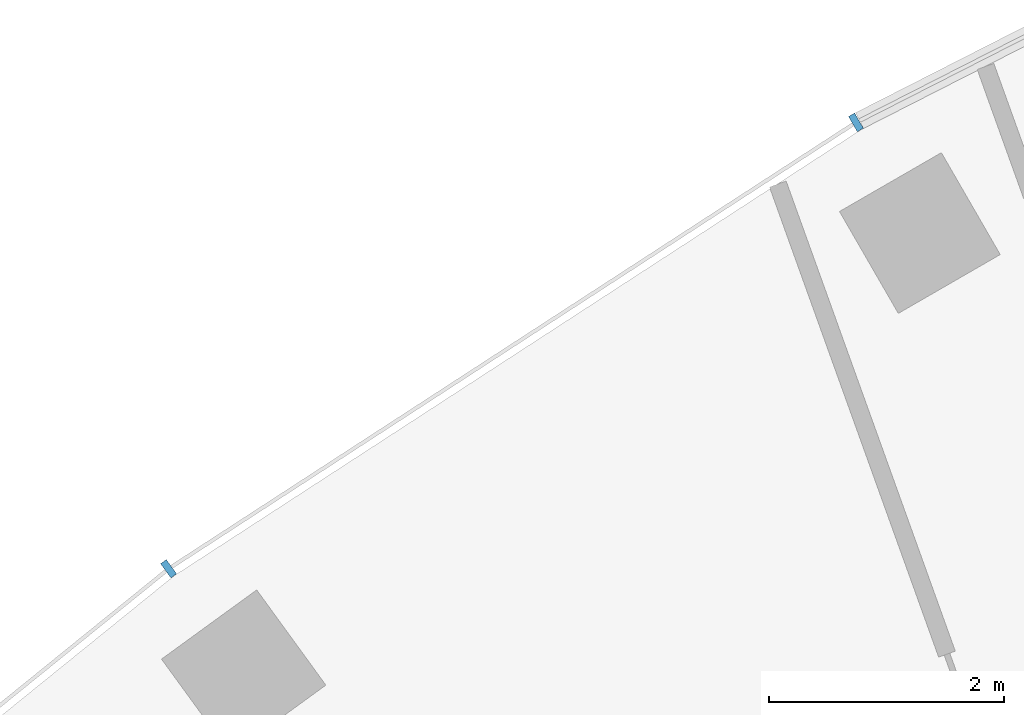
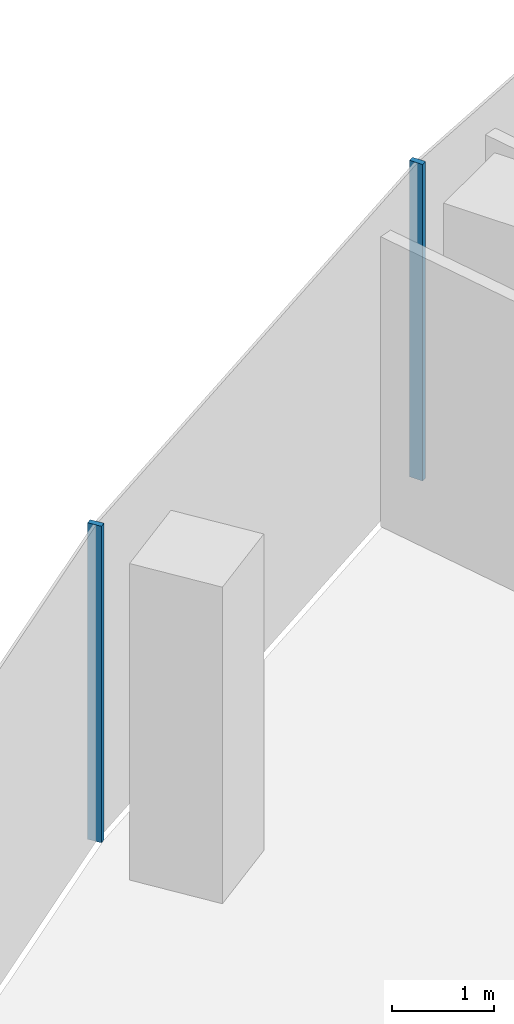
# One storey, part 4 of 21: 2 members, 1 element without a shape of its own.
"""IFC4 building model written with IfcOpenShell, lengths in metres."""

from ifc_helpers import new_model, si_unit, direction, frame, origin, origin_2d, place, context, subcontext, project, spatial, rectangle, extrude, material, layer, layer_set, material_profile, profile_set, type_object, element, aggregate, save


model = new_model("IFC4")

# Units and contexts
model_context = context("Model", 3, precision=1e-05, world=origin(), true_north=direction((0.0, 1.0)))
body_context = subcontext(model_context, "Body", "Model", "MODEL_VIEW")
ifc_project = project(units=[si_unit("LENGTHUNIT", "METRE"), si_unit("AREAUNIT", "SQUARE_METRE"), si_unit("VOLUMEUNIT", "CUBIC_METRE"), si_unit("PLANEANGLEUNIT", "RADIAN"), si_unit("MASSUNIT", "GRAM", prefix="KILO")], contexts=[model_context])

# Site, building, storey
site_placement = place(None, origin())
site = spatial("IfcSite", under=ifc_project, at=site_placement, CompositionType="ELEMENT")
building_placement = place(site_placement, origin())
building = spatial("IfcBuilding", under=site, at=building_placement, Name="Stone Belt Terrace Tower", CompositionType="ELEMENT")
storey_placement = place(building_placement, frame((0.0, 0.0, 163.0)))
storey = spatial("IfcBuildingStorey", under=building, at=storey_placement, Name="L39", CompositionType="ELEMENT", Elevation=163.0)

# Curtain wall, members
ifc_material = material(Name="Aluminium 6063-T6 anodised frame", Category="aluminium")
ifc_layer = layer(ifc_material, 0.14990234375)
ifc_layer_set = layer_set([ifc_layer], Name="CW-A unitised convex-face curtain wall")
curtain_wall_type = type_object("IfcCurtainWallType", Name="CW-A unitised convex-face curtain wall", PredefinedType="NOTDEFINED", material=ifc_layer_set)
curtain_wall_placement = place(storey_placement, origin())
curtain_wall = element("IfcCurtainWall", 1, at=curtain_wall_placement, inside=storey, type_object=curtain_wall_type, Name="CW-A convex face L39", PredefinedType="NOTDEFINED")
ifc_material_profile = material_profile(ifc_material, rectangle(XDim=0.14990234375, YDim=0.06005859375, at=origin_2d()), Name="Aluminium 6063-T6 60x150")
ifc_profile_set = profile_set([ifc_material_profile], Name="Aluminium 6063-T6 anodised frame")
member_type = type_object("IfcMemberType", Name="CW-A mullion 60 x 150", PredefinedType="MULLION", material=ifc_profile_set)
member_1_placement = place(storey_placement, frame((-33.28759765625, 57.65576171875, 0.0), z_axis=(0.0, 0.0, 1.0), x_axis=(0.5, -0.866025403784, 0.0)))
member_1 = element("IfcMember", 2, at=member_1_placement, type_object=member_type, Name="CW-A mullion 14", PredefinedType="MULLION", context=body_context, shape_type="SweptSolid", body=[
    extrude(rectangle(XDim=0.14990234375, YDim=0.06005859375, at=origin_2d()), origin(), (0.0, 0.0, 1.0), 3.800048828125),
])
member_2_placement = place(storey_placement, frame((-39.1318359375, 53.8603515625, 0.0), z_axis=(0.0, 0.0, 1.0), x_axis=(0.587785252292, -0.809016994375, 0.0)))
member_2 = element("IfcMember", 3, at=member_2_placement, type_object=member_type, Name="CW-A mullion 15", PredefinedType="MULLION", context=body_context, shape_type="SweptSolid", body=[
    extrude(rectangle(XDim=0.14990234375, YDim=0.06005859375, at=origin_2d()), origin(), (0.0, 0.0, 1.0), 3.800048828125),
])
aggregate(curtain_wall, [member_1, member_2])

save(model, "model.ifc")
